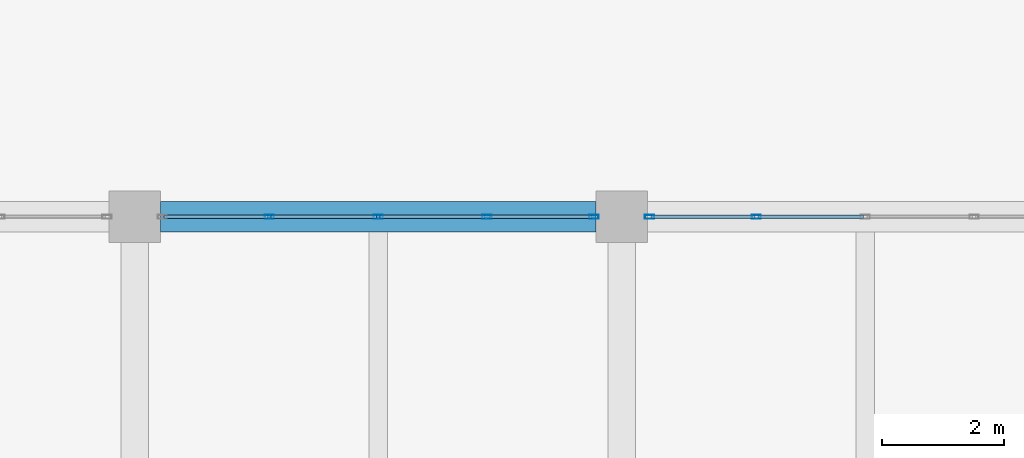
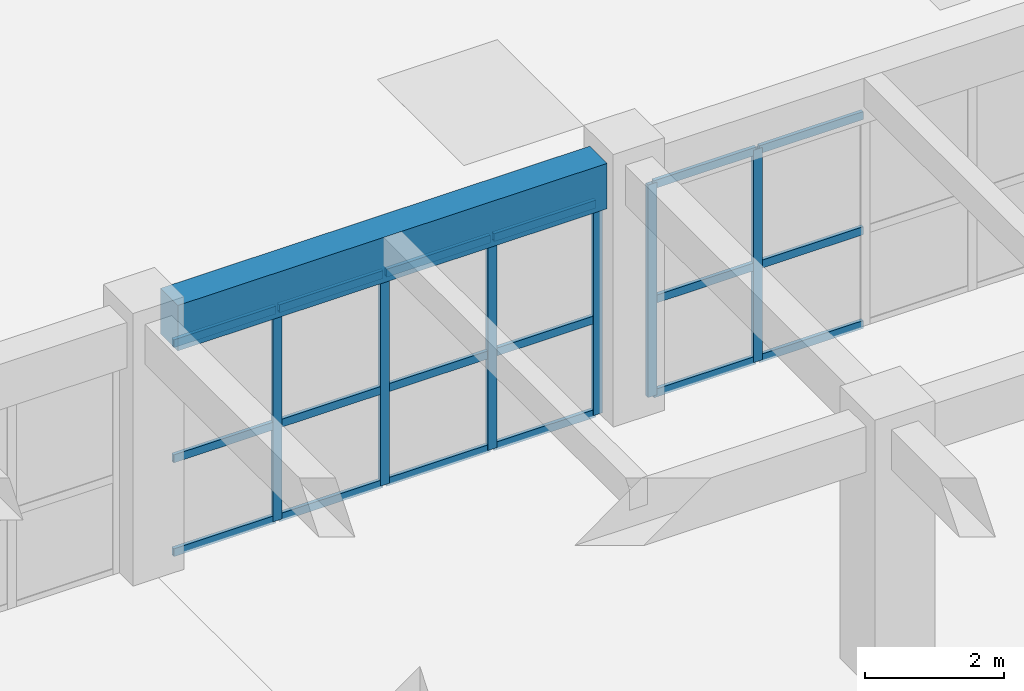
# One storey, part 42 of 101: 24 members, 1 beam, 2 elements without a shape of their own.
"""IFC4 building model written with IfcOpenShell, lengths in metres."""

from ifc_helpers import new_model, si_unit, direction, frame, origin, origin_2d, place, context, subcontext, project, spatial, rectangle, hollow_rectangle, extrude, material, material_profile, profile_set, type_object, element, aggregate, save


model = new_model("IFC4")

# Units and contexts
model_context = context("Model", 3, precision=1e-05, world=origin(), true_north=direction((0.0, 1.0)))
body_context = subcontext(model_context, "Body", "Model", "MODEL_VIEW")
ifc_project = project(units=[si_unit("LENGTHUNIT", "METRE"), si_unit("AREAUNIT", "SQUARE_METRE"), si_unit("VOLUMEUNIT", "CUBIC_METRE"), si_unit("PLANEANGLEUNIT", "RADIAN"), si_unit("MASSUNIT", "GRAM", prefix="KILO")], contexts=[model_context])

# Site, building, storey
site_placement = place(None, origin())
site = spatial("IfcSite", under=ifc_project, at=site_placement, CompositionType="ELEMENT")
building_placement = place(site_placement, origin())
building = spatial("IfcBuilding", under=site, at=building_placement, Name="Zantavel Square City Hall", CompositionType="ELEMENT")
storey_placement = place(building_placement, frame((0.0, 0.0, 5.39990234375)))
storey = spatial("IfcBuildingStorey", under=building, at=storey_placement, Name="L02", CompositionType="ELEMENT", Elevation=5.39990234375)

# Curtain wall, members
ifc_material_1 = material(Name="Anodised aluminium 6063-T6", Category="aluminium")
curtain_wall_type = type_object("IfcCurtainWallType", Name="Curtain Wall TRV1 7150x3740", PredefinedType="USERDEFINED", material=ifc_material_1)
curtain_wall_1_placement = place(storey_placement, origin())
curtain_wall_1 = element("IfcCurtainWall", 1, at=curtain_wall_1_placement, inside=storey, type_object=curtain_wall_type, Name="L02 Glazed Curtain Wall CW-L02-040", ObjectType="GLAZED CURTAIN WALL", PredefinedType="USERDEFINED")
ifc_material_profile_1 = material_profile(ifc_material_1, hollow_rectangle(XDim=0.06494140625, YDim=0.14990234375, WallThickness=0.00390625, at=origin_2d()), Name="ALU 65x150x4")
ifc_profile_set_1 = profile_set([ifc_material_profile_1], Name="Anodised aluminium 6063-T6")
member_type_1 = type_object("IfcMemberType", Name="CW Mullion ALU 65x150x4", PredefinedType="MULLION", material=ifc_profile_set_1)
member_1_placement = place(storey_placement, frame((82.21240234375, 68.39990234375, 0.0), z_axis=(0.0, 0.0, 1.0), x_axis=(0.0, 1.0, 0.0)))
member_1 = element("IfcMember", 2, at=member_1_placement, type_object=member_type_1, Name="CW-040 mullion 2", PredefinedType="MULLION", context=body_context, shape_type="SweptSolid", body=[
    extrude(hollow_rectangle(XDim=0.06494140625, YDim=0.14990234375, WallThickness=0.00390625, at=origin_2d()), origin(), (0.0, 0.0, 1.0), 3.739990234375),
])
member_2_placement = place(storey_placement, frame((84.0, 68.39990234375, 0.0), z_axis=(0.0, 0.0, 1.0), x_axis=(0.0, 1.0, 0.0)))
member_2 = element("IfcMember", 3, at=member_2_placement, type_object=member_type_1, Name="CW-040 mullion 3", PredefinedType="MULLION", context=body_context, shape_type="SweptSolid", body=[
    extrude(hollow_rectangle(XDim=0.06494140625, YDim=0.14990234375, WallThickness=0.00390625, at=origin_2d()), origin(), (0.0, 0.0, 1.0), 3.739990234375),
])
member_3_placement = place(storey_placement, frame((85.78759765625, 68.39990234375, 0.0), z_axis=(0.0, 0.0, 1.0), x_axis=(0.0, 1.0, 0.0)))
member_3 = element("IfcMember", 4, at=member_3_placement, type_object=member_type_1, Name="CW-040 mullion 4", PredefinedType="MULLION", context=body_context, shape_type="SweptSolid", body=[
    extrude(hollow_rectangle(XDim=0.06494140625, YDim=0.14990234375, WallThickness=0.00390625, at=origin_2d()), origin(), (0.0, 0.0, 1.0), 3.739990234375),
])
member_4_placement = place(storey_placement, frame((87.544921875, 68.39990234375, 0.0), z_axis=(0.0, 0.0, 1.0), x_axis=(0.0, 1.0, 0.0)))
member_4 = element("IfcMember", 5, at=member_4_placement, type_object=member_type_1, Name="CW-040 mullion 5", PredefinedType="MULLION", context=body_context, shape_type="SweptSolid", body=[
    extrude(hollow_rectangle(XDim=0.06494140625, YDim=0.14990234375, WallThickness=0.00390625, at=origin_2d()), origin(), (0.0, 0.0, 1.0), 3.739990234375),
])

curtain_wall_2_placement = place(storey_placement, origin())
curtain_wall_2 = element("IfcCurtainWall", 6, at=curtain_wall_2_placement, inside=storey, type_object=curtain_wall_type, Name="L02 Glazed Curtain Wall CW-L02-041", ObjectType="GLAZED CURTAIN WALL", PredefinedType="USERDEFINED")
member_5_placement = place(storey_placement, frame((88.455078125, 68.39990234375, 0.0), z_axis=(0.0, 0.0, 1.0), x_axis=(0.0, 1.0, 0.0)))
member_5 = element("IfcMember", 7, at=member_5_placement, type_object=member_type_1, Name="CW-041 mullion 1", PredefinedType="MULLION", context=body_context, shape_type="SweptSolid", body=[
    extrude(hollow_rectangle(XDim=0.06494140625, YDim=0.14990234375, WallThickness=0.00390625, at=origin_2d()), origin(), (0.0, 0.0, 1.0), 3.739990234375),
])
member_6_placement = place(storey_placement, frame((90.21240234375, 68.39990234375, 0.0), z_axis=(0.0, 0.0, 1.0), x_axis=(0.0, 1.0, 0.0)))
member_6 = element("IfcMember", 8, at=member_6_placement, type_object=member_type_1, Name="CW-041 mullion 2", PredefinedType="MULLION", context=body_context, shape_type="SweptSolid", body=[
    extrude(hollow_rectangle(XDim=0.06494140625, YDim=0.14990234375, WallThickness=0.00390625, at=origin_2d()), origin(), (0.0, 0.0, 1.0), 3.739990234375),
])

# Member
ifc_material_profile_2 = material_profile(ifc_material_1, hollow_rectangle(XDim=0.06005859375, YDim=0.139892578125, WallThickness=0.00390625, at=origin_2d()), Name="ALU 60x140x4")
ifc_profile_set_2 = profile_set([ifc_material_profile_2], Name="Anodised aluminium 6063-T6")
member_type_2 = type_object("IfcMemberType", Name="CW Transom ALU 60x140x4", PredefinedType="USERDEFINED", material=ifc_profile_set_2)
member_7_placement = place(storey_placement, frame((80.485107421875, 68.39990234375, 0.030029296875), z_axis=(1.0, 0.0, 0.0), x_axis=(0.0, 1.0, 0.0)))
member_7 = element("IfcMember", 9, at=member_7_placement, type_object=member_type_2, Name="CW-040 transom 1.1", ObjectType="TRANSOM", PredefinedType="USERDEFINED", context=body_context, shape_type="SweptSolid", body=[
    extrude(hollow_rectangle(XDim=0.06005859375, YDim=0.139892578125, WallThickness=0.00390625, at=origin_2d()), origin(), (0.0, 0.0, 1.0), 1.697509765625),
])

member_8_placement = place(storey_placement, frame((80.485107421875, 68.39990234375, 1.68310546875), z_axis=(1.0, 0.0, 0.0), x_axis=(0.0, 1.0, 0.0)))
member_8 = element("IfcMember", 10, at=member_8_placement, type_object=member_type_2, Name="CW-040 transom 1.2", ObjectType="TRANSOM", PredefinedType="USERDEFINED", context=body_context, shape_type="SweptSolid", body=[
    extrude(hollow_rectangle(XDim=0.06005859375, YDim=0.139892578125, WallThickness=0.00390625, at=origin_2d()), origin(), (0.0, 0.0, 1.0), 1.697509765625),
])

member_9_placement = place(storey_placement, frame((80.485107421875, 68.39990234375, 3.710205078125), z_axis=(1.0, 0.0, 0.0), x_axis=(0.0, 1.0, 0.0)))
member_9 = element("IfcMember", 11, at=member_9_placement, type_object=member_type_2, Name="CW-040 transom 1.3", ObjectType="TRANSOM", PredefinedType="USERDEFINED", context=body_context, shape_type="SweptSolid", body=[
    extrude(hollow_rectangle(XDim=0.06005859375, YDim=0.139892578125, WallThickness=0.00390625, at=origin_2d()), origin(), (0.0, 0.0, 1.0), 1.697509765625),
])

member_10_placement = place(storey_placement, frame((82.242431640625, 68.39990234375, 0.030029296875), z_axis=(1.0, 0.0, 0.0), x_axis=(0.0, 1.0, 0.0)))
member_10 = element("IfcMember", 12, at=member_10_placement, type_object=member_type_2, Name="CW-040 transom 2.1", ObjectType="TRANSOM", PredefinedType="USERDEFINED", context=body_context, shape_type="SweptSolid", body=[
    extrude(hollow_rectangle(XDim=0.06005859375, YDim=0.139892578125, WallThickness=0.00390625, at=origin_2d()), origin(), (0.0, 0.0, 1.0), 1.7275390625),
])

member_11_placement = place(storey_placement, frame((82.242431640625, 68.39990234375, 1.68310546875), z_axis=(1.0, 0.0, 0.0), x_axis=(0.0, 1.0, 0.0)))
member_11 = element("IfcMember", 13, at=member_11_placement, type_object=member_type_2, Name="CW-040 transom 2.2", ObjectType="TRANSOM", PredefinedType="USERDEFINED", context=body_context, shape_type="SweptSolid", body=[
    extrude(hollow_rectangle(XDim=0.06005859375, YDim=0.139892578125, WallThickness=0.00390625, at=origin_2d()), origin(), (0.0, 0.0, 1.0), 1.7275390625),
])

member_12_placement = place(storey_placement, frame((82.242431640625, 68.39990234375, 3.710205078125), z_axis=(1.0, 0.0, 0.0), x_axis=(0.0, 1.0, 0.0)))
member_12 = element("IfcMember", 14, at=member_12_placement, type_object=member_type_2, Name="CW-040 transom 2.3", ObjectType="TRANSOM", PredefinedType="USERDEFINED", context=body_context, shape_type="SweptSolid", body=[
    extrude(hollow_rectangle(XDim=0.06005859375, YDim=0.139892578125, WallThickness=0.00390625, at=origin_2d()), origin(), (0.0, 0.0, 1.0), 1.7275390625),
])

member_13_placement = place(storey_placement, frame((84.030029296875, 68.39990234375, 0.030029296875), z_axis=(1.0, 0.0, 0.0), x_axis=(0.0, 1.0, 0.0)))
member_13 = element("IfcMember", 15, at=member_13_placement, type_object=member_type_2, Name="CW-040 transom 3.1", ObjectType="TRANSOM", PredefinedType="USERDEFINED", context=body_context, shape_type="SweptSolid", body=[
    extrude(hollow_rectangle(XDim=0.06005859375, YDim=0.139892578125, WallThickness=0.00390625, at=origin_2d()), origin(), (0.0, 0.0, 1.0), 1.7275390625),
])

member_14_placement = place(storey_placement, frame((84.030029296875, 68.39990234375, 1.68310546875), z_axis=(1.0, 0.0, 0.0), x_axis=(0.0, 1.0, 0.0)))
member_14 = element("IfcMember", 16, at=member_14_placement, type_object=member_type_2, Name="CW-040 transom 3.2", ObjectType="TRANSOM", PredefinedType="USERDEFINED", context=body_context, shape_type="SweptSolid", body=[
    extrude(hollow_rectangle(XDim=0.06005859375, YDim=0.139892578125, WallThickness=0.00390625, at=origin_2d()), origin(), (0.0, 0.0, 1.0), 1.7275390625),
])

member_15_placement = place(storey_placement, frame((84.030029296875, 68.39990234375, 3.710205078125), z_axis=(1.0, 0.0, 0.0), x_axis=(0.0, 1.0, 0.0)))
member_15 = element("IfcMember", 17, at=member_15_placement, type_object=member_type_2, Name="CW-040 transom 3.3", ObjectType="TRANSOM", PredefinedType="USERDEFINED", context=body_context, shape_type="SweptSolid", body=[
    extrude(hollow_rectangle(XDim=0.06005859375, YDim=0.139892578125, WallThickness=0.00390625, at=origin_2d()), origin(), (0.0, 0.0, 1.0), 1.7275390625),
])

member_16_placement = place(storey_placement, frame((85.8173828125, 68.39990234375, 0.030029296875), z_axis=(1.0, 0.0, 0.0), x_axis=(0.0, 1.0, 0.0)))
member_16 = element("IfcMember", 18, at=member_16_placement, type_object=member_type_2, Name="CW-040 transom 4.1", ObjectType="TRANSOM", PredefinedType="USERDEFINED", context=body_context, shape_type="SweptSolid", body=[
    extrude(hollow_rectangle(XDim=0.06005859375, YDim=0.139892578125, WallThickness=0.00390625, at=origin_2d()), origin(), (0.0, 0.0, 1.0), 1.697509765625),
])

member_17_placement = place(storey_placement, frame((85.8173828125, 68.39990234375, 1.68310546875), z_axis=(1.0, 0.0, 0.0), x_axis=(0.0, 1.0, 0.0)))
member_17 = element("IfcMember", 19, at=member_17_placement, type_object=member_type_2, Name="CW-040 transom 4.2", ObjectType="TRANSOM", PredefinedType="USERDEFINED", context=body_context, shape_type="SweptSolid", body=[
    extrude(hollow_rectangle(XDim=0.06005859375, YDim=0.139892578125, WallThickness=0.00390625, at=origin_2d()), origin(), (0.0, 0.0, 1.0), 1.697509765625),
])

member_18_placement = place(storey_placement, frame((85.8173828125, 68.39990234375, 3.710205078125), z_axis=(1.0, 0.0, 0.0), x_axis=(0.0, 1.0, 0.0)))
member_18 = element("IfcMember", 20, at=member_18_placement, type_object=member_type_2, Name="CW-040 transom 4.3", ObjectType="TRANSOM", PredefinedType="USERDEFINED", context=body_context, shape_type="SweptSolid", body=[
    extrude(hollow_rectangle(XDim=0.06005859375, YDim=0.139892578125, WallThickness=0.00390625, at=origin_2d()), origin(), (0.0, 0.0, 1.0), 1.697509765625),
])

aggregate(curtain_wall_1, [member_1, member_2, member_3, member_4, member_7, member_8, member_9, member_10, member_11, member_12, member_13, member_14, member_15, member_16, member_17, member_18])

member_19_placement = place(storey_placement, frame((88.485107421875, 68.39990234375, 0.030029296875), z_axis=(1.0, 0.0, 0.0), x_axis=(0.0, 1.0, 0.0)))
member_19 = element("IfcMember", 21, at=member_19_placement, type_object=member_type_2, Name="CW-041 transom 1.1", ObjectType="TRANSOM", PredefinedType="USERDEFINED", context=body_context, shape_type="SweptSolid", body=[
    extrude(hollow_rectangle(XDim=0.06005859375, YDim=0.139892578125, WallThickness=0.00390625, at=origin_2d()), origin(), (0.0, 0.0, 1.0), 1.697509765625),
])

member_20_placement = place(storey_placement, frame((88.485107421875, 68.39990234375, 1.68310546875), z_axis=(1.0, 0.0, 0.0), x_axis=(0.0, 1.0, 0.0)))
member_20 = element("IfcMember", 22, at=member_20_placement, type_object=member_type_2, Name="CW-041 transom 1.2", ObjectType="TRANSOM", PredefinedType="USERDEFINED", context=body_context, shape_type="SweptSolid", body=[
    extrude(hollow_rectangle(XDim=0.06005859375, YDim=0.139892578125, WallThickness=0.00390625, at=origin_2d()), origin(), (0.0, 0.0, 1.0), 1.697509765625),
])

member_21_placement = place(storey_placement, frame((88.485107421875, 68.39990234375, 3.710205078125), z_axis=(1.0, 0.0, 0.0), x_axis=(0.0, 1.0, 0.0)))
member_21 = element("IfcMember", 23, at=member_21_placement, type_object=member_type_2, Name="CW-041 transom 1.3", ObjectType="TRANSOM", PredefinedType="USERDEFINED", context=body_context, shape_type="SweptSolid", body=[
    extrude(hollow_rectangle(XDim=0.06005859375, YDim=0.139892578125, WallThickness=0.00390625, at=origin_2d()), origin(), (0.0, 0.0, 1.0), 1.697509765625),
])

member_22_placement = place(storey_placement, frame((90.242431640625, 68.39990234375, 0.030029296875), z_axis=(1.0, 0.0, 0.0), x_axis=(0.0, 1.0, 0.0)))
member_22 = element("IfcMember", 24, at=member_22_placement, type_object=member_type_2, Name="CW-041 transom 2.1", ObjectType="TRANSOM", PredefinedType="USERDEFINED", context=body_context, shape_type="SweptSolid", body=[
    extrude(hollow_rectangle(XDim=0.06005859375, YDim=0.139892578125, WallThickness=0.00390625, at=origin_2d()), origin(), (0.0, 0.0, 1.0), 1.7275390625),
])

member_23_placement = place(storey_placement, frame((90.242431640625, 68.39990234375, 1.68310546875), z_axis=(1.0, 0.0, 0.0), x_axis=(0.0, 1.0, 0.0)))
member_23 = element("IfcMember", 25, at=member_23_placement, type_object=member_type_2, Name="CW-041 transom 2.2", ObjectType="TRANSOM", PredefinedType="USERDEFINED", context=body_context, shape_type="SweptSolid", body=[
    extrude(hollow_rectangle(XDim=0.06005859375, YDim=0.139892578125, WallThickness=0.00390625, at=origin_2d()), origin(), (0.0, 0.0, 1.0), 1.7275390625),
])

member_24_placement = place(storey_placement, frame((90.242431640625, 68.39990234375, 3.710205078125), z_axis=(1.0, 0.0, 0.0), x_axis=(0.0, 1.0, 0.0)))
member_24 = element("IfcMember", 26, at=member_24_placement, type_object=member_type_2, Name="CW-041 transom 2.3", ObjectType="TRANSOM", PredefinedType="USERDEFINED", context=body_context, shape_type="SweptSolid", body=[
    extrude(hollow_rectangle(XDim=0.06005859375, YDim=0.139892578125, WallThickness=0.00390625, at=origin_2d()), origin(), (0.0, 0.0, 1.0), 1.7275390625),
])

aggregate(curtain_wall_2, [member_5, member_6, member_19, member_20, member_21, member_22, member_23, member_24])

# Beam
ifc_material_2 = material(Name="Concrete C35/45", Category="concrete")
ifc_material_profile_3 = material_profile(ifc_material_2, rectangle(XDim=0.5, YDim=0.800048828125, at=origin_2d()), Name="RC 500x800")
ifc_profile_set_3 = profile_set([ifc_material_profile_3], Name="Concrete C35/45")
beam_type = type_object("IfcBeamType", Name="Primary Girder RC 500x800 C35/45", PredefinedType="BEAM", material=ifc_profile_set_3)
beam_placement = place(storey_placement, frame((80.425048828125, 68.39990234375, 4.14013671875), z_axis=(1.0, 0.0, 0.0), x_axis=(0.0, 1.0, 0.0)))
element("IfcBeam", 27, at=beam_placement, inside=storey, type_object=beam_type, Name="L02 Girder BMX-L02-0800-0684", PredefinedType="BEAM", context=body_context, shape_type="SweptSolid", body=[
    extrude(rectangle(XDim=0.5, YDim=0.800048828125, at=origin_2d()), origin(), (0.0, 0.0, 1.0), 7.14990234375),
])

save(model, "model.ifc")
